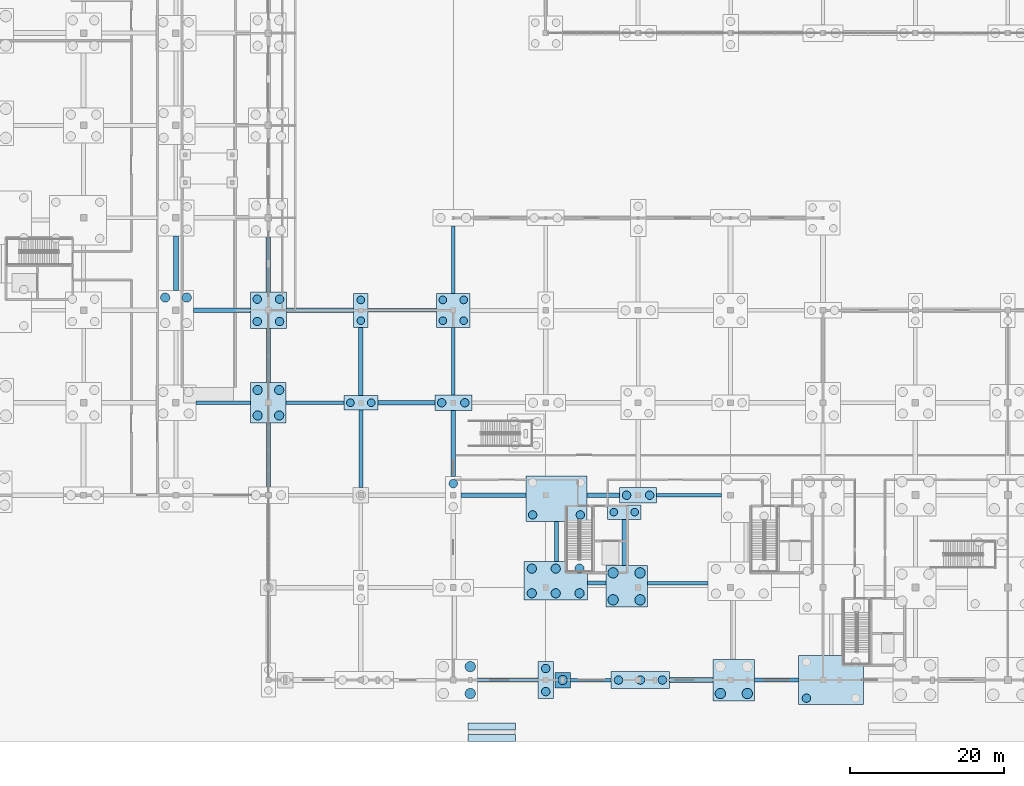
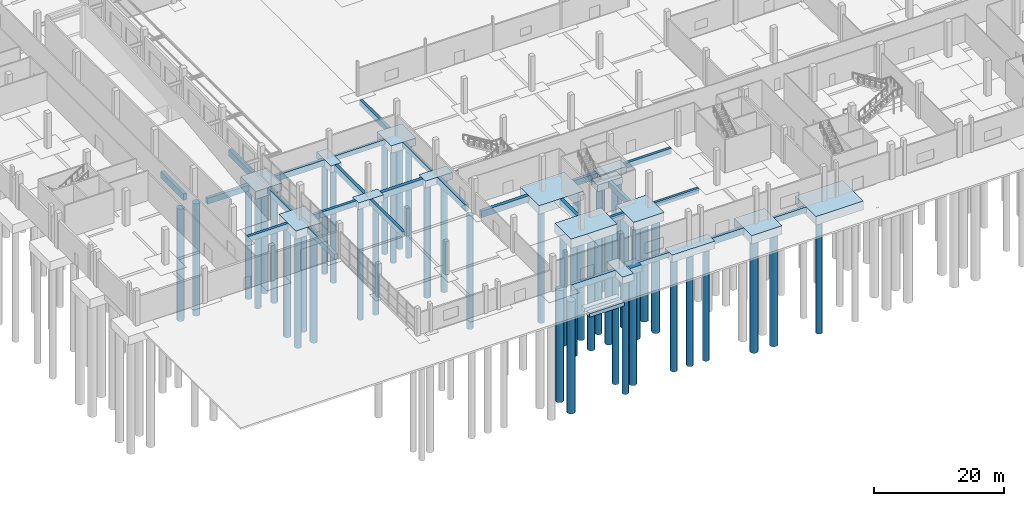
# One storey, part 2 of 117: 48 piles, 44 footings.
"""IFC4 building model written with IfcOpenShell, lengths in metres."""

from ifc_helpers import new_model, si_unit, direction, frame, origin, origin_2d, place, context, subcontext, project, spatial, rectangle, circle, extrude, material, material_profile, profile_set, type_object, element, save


model = new_model("IFC4")

# Units and contexts
model_context = context("Model", 3, precision=1e-05, world=origin(), true_north=direction((0.0, 1.0)))
body_context = subcontext(model_context, "Body", "Model", "MODEL_VIEW")
ifc_project = project(units=[si_unit("LENGTHUNIT", "METRE"), si_unit("AREAUNIT", "SQUARE_METRE"), si_unit("VOLUMEUNIT", "CUBIC_METRE"), si_unit("PLANEANGLEUNIT", "RADIAN"), si_unit("MASSUNIT", "GRAM", prefix="KILO")], contexts=[model_context])

# Site, building, storey
site_placement = place(None, origin())
site = spatial("IfcSite", under=ifc_project, at=site_placement, CompositionType="ELEMENT")
building_placement = place(site_placement, origin())
building = spatial("IfcBuilding", under=site, at=building_placement, Name="Kamomehara Wholesale Market", CompositionType="ELEMENT")
storey_placement = place(building_placement, origin())
storey = spatial("IfcBuildingStorey", under=building, at=storey_placement, Name="L00", CompositionType="ELEMENT", Elevation=0.0)

# Footings
ifc_material_1 = material(Name="Concrete Fc30 (C30/37)", Category="concrete")
footing_type_1 = type_object("IfcFootingType", Name="CAP-1P-2000", PredefinedType="PILE_CAP", material=ifc_material_1)
footing_1_placement = place(storey_placement, frame((74.199951171875, 12.0, -1.2001953125), z_axis=(0.0, 0.0, 1.0), x_axis=(1.0, 0.0, 0.0)))
element("IfcFooting", 1, at=footing_1_placement, inside=storey, type_object=footing_type_1, Name="Pile cap PC-03", PredefinedType="PILE_CAP", context=body_context, shape_type="SweptSolid", body=[
    extrude(rectangle(XDim=2.0, YDim=2.0, at=origin_2d()), origin(), (0.0, 0.0, 1.0), 1.199951171875),
])
ifc_material_2 = material(Name="Concrete Fc30 (C30/37)", Category="concrete")
footing_type_2 = type_object("IfcFootingType", Name="CAP-2PX-4400", PredefinedType="PILE_CAP", material=ifc_material_2)
for number, where, z_axis, x_axis, name in (
    (2, (48.0, 48.0, -1.25), (0.0, 0.0, 1.0), (1.0, 0.0, 0.0), "Pile cap PC-04"),
    (3, (82.199951171875, 33.800048828125, -1.25), (0.0, 0.0, 1.0), (1.0, 0.0, 0.0), "Pile cap PC-04"),
):
    element("IfcFooting", number, at=place(storey_placement, frame(where, z_axis=z_axis, x_axis=x_axis)), inside=storey, type_object=footing_type_2, Name=name, PredefinedType="PILE_CAP", context=body_context, shape_type="SweptSolid", body=[
        extrude(rectangle(XDim=4.39990234375, YDim=1.85009765625, at=origin_2d()), origin(), (0.0, 0.0, 1.0), 1.25),
    ])
ifc_material_3 = material(Name="Concrete Fc30 (C30/37)", Category="concrete")
footing_type_3 = type_object("IfcFootingType", Name="CAP-2PX-4800", PredefinedType="PILE_CAP", material=ifc_material_3)
for number, where, z_axis, x_axis, name in (
    (4, (60.0, 48.0, -1.2998046875), (0.0, 0.0, 1.0), (1.0, 0.0, 0.0), "Pile cap PC-06"),
    (5, (84.0, 36.0, -1.2998046875), (0.0, 0.0, 1.0), (1.0, 0.0, 0.0), "Pile cap PC-06"),
):
    element("IfcFooting", number, at=place(storey_placement, frame(where, z_axis=z_axis, x_axis=x_axis)), inside=storey, type_object=footing_type_3, Name=name, PredefinedType="PILE_CAP", context=body_context, shape_type="SweptSolid", body=[
        extrude(rectangle(XDim=4.800048828125, YDim=2.0, at=origin_2d()), origin(), (0.0, 0.0, 1.0), 1.300048828125),
    ])
ifc_material_4 = material(Name="Concrete Fc30 (C30/37)", Category="concrete")
footing_type_4 = type_object("IfcFootingType", Name="CAP-2PY-4400", PredefinedType="PILE_CAP", material=ifc_material_4)
footing_2_placement = place(storey_placement, frame((48.0, 60.0, -1.25), z_axis=(0.0, 0.0, 1.0), x_axis=(1.0, 0.0, 0.0)))
element("IfcFooting", 6, at=footing_2_placement, inside=storey, type_object=footing_type_4, Name="Pile cap PC-05", PredefinedType="PILE_CAP", context=body_context, shape_type="SweptSolid", body=[
    extrude(rectangle(XDim=1.85009765625, YDim=4.39990234375, at=origin_2d()), origin(), (0.0, 0.0, 1.0), 1.25),
])
ifc_material_5 = material(Name="Concrete Fc30 (C30/37)", Category="concrete")
footing_type_5 = type_object("IfcFootingType", Name="CAP-2PY-4800", PredefinedType="PILE_CAP", material=ifc_material_5)
footing_3_placement = place(storey_placement, frame((72.0, 12.0, -1.2998046875), z_axis=(0.0, 0.0, 1.0), x_axis=(1.0, 0.0, 0.0)))
element("IfcFooting", 7, at=footing_3_placement, inside=storey, type_object=footing_type_5, Name="Pile cap PC-07", PredefinedType="PILE_CAP", context=body_context, shape_type="SweptSolid", body=[
    extrude(rectangle(XDim=2.0, YDim=4.800048828125, at=origin_2d()), origin(), (0.0, 0.0, 1.0), 1.300048828125),
])
ifc_material_6 = material(Name="Concrete Fc30 (C30/37)", Category="concrete")
footing_type_6 = type_object("IfcFootingType", Name="CAP-3PX-7600", PredefinedType="PILE_CAP", material=ifc_material_6)
footing_4_placement = place(storey_placement, frame((84.300048828125, 12.0, -1.39990234375), z_axis=(0.0, 0.0, 1.0), x_axis=(1.0, 0.0, 0.0)))
element("IfcFooting", 8, at=footing_4_placement, inside=storey, type_object=footing_type_6, Name="Pile cap PC-09", PredefinedType="PILE_CAP", context=body_context, shape_type="SweptSolid", body=[
    extrude(rectangle(XDim=7.60009765625, YDim=2.199951171875, at=origin_2d()), origin(), (0.0, 0.0, 1.0), 1.39990234375),
])
ifc_material_7 = material(Name="Concrete Fc30 (C30/37)", Category="concrete")
footing_type_7 = type_object("IfcFootingType", Name="CAP-4P-4400", PredefinedType="PILE_CAP", material=ifc_material_7)
footing_5_placement = place(storey_placement, frame((60.0, 60.0, -1.39990234375), z_axis=(0.0, 0.0, 1.0), x_axis=(1.0, 0.0, 0.0)))
element("IfcFooting", 9, at=footing_5_placement, inside=storey, type_object=footing_type_7, Name="Pile cap PC-10", PredefinedType="PILE_CAP", context=body_context, shape_type="SweptSolid", body=[
    extrude(rectangle(XDim=4.39990234375, YDim=4.39990234375, at=origin_2d()), origin(), (0.0, 0.0, 1.0), 1.39990234375),
])
ifc_material_8 = material(Name="Concrete Fc30 (C30/37)", Category="concrete")
footing_type_8 = type_object("IfcFootingType", Name="CAP-4P-4700", PredefinedType="PILE_CAP", material=ifc_material_8)
footing_6_placement = place(storey_placement, frame((36.0, 60.0, -1.4501953125), z_axis=(0.0, 0.0, 1.0), x_axis=(1.0, 0.0, 0.0)))
element("IfcFooting", 10, at=footing_6_placement, inside=storey, type_object=footing_type_8, Name="Pile cap PC-11", PredefinedType="PILE_CAP", context=body_context, shape_type="SweptSolid", body=[
    extrude(rectangle(XDim=4.699951171875, YDim=4.699951171875, at=origin_2d()), origin(), (0.0, 0.0, 1.0), 1.449951171875),
])
ifc_material_9 = material(Name="Concrete Fc30 (C30/37)", Category="concrete")
footing_type_9 = type_object("IfcFootingType", Name="CAP-4P-5400", PredefinedType="PILE_CAP", material=ifc_material_9)
for number, where, z_axis, x_axis, name in (
    (11, (82.5, 24.1630859375, -1.60009765625), (0.0, 0.0, 1.0), (1.0, 0.0, 0.0), "Pile cap PC-13"),
    (12, (96.425048828125, 12.0, -1.60009765625), (0.0, 0.0, 1.0), (1.0, 0.0, 0.0), "Pile cap PC-13"),
):
    element("IfcFooting", number, at=place(storey_placement, frame(where, z_axis=z_axis, x_axis=x_axis)), inside=storey, type_object=footing_type_9, Name=name, PredefinedType="PILE_CAP", context=body_context, shape_type="SweptSolid", body=[
        extrude(rectangle(XDim=5.39990234375, YDim=5.39990234375, at=origin_2d()), origin(), (0.0, 0.0, 1.0), 1.60009765625),
    ])
ifc_material_10 = material(Name="Concrete Fc30 (C30/37)", Category="concrete")
footing_type_10 = type_object("IfcFootingType", Name="CAP-4PR-4600", PredefinedType="PILE_CAP", material=ifc_material_10)
footing_7_placement = place(storey_placement, frame((36.0, 48.0, -1.5498046875), z_axis=(0.0, 0.0, 1.0), x_axis=(1.0, 0.0, 0.0)))
element("IfcFooting", 13, at=footing_7_placement, inside=storey, type_object=footing_type_10, Name="Pile cap PC-16", PredefinedType="PILE_CAP", context=body_context, shape_type="SweptSolid", body=[
    extrude(rectangle(XDim=4.60009765625, YDim=5.199951171875, at=origin_2d()), origin(), (0.0, 0.0, 1.0), 1.550048828125),
])
ifc_material_11 = material(Name="Concrete Fc30 (C30/37)", Category="concrete")
footing_type_11 = type_object("IfcFootingType", Name="CAP-6P-8200", PredefinedType="PILE_CAP", material=ifc_material_11)
footing_8_placement = place(storey_placement, frame((73.300048828125, 24.863037109375, -1.75), z_axis=(0.0, 0.0, 1.0), x_axis=(1.0, 0.0, 0.0)))
element("IfcFooting", 14, at=footing_8_placement, inside=storey, type_object=footing_type_11, Name="Pile cap PC-17", PredefinedType="PILE_CAP", context=body_context, shape_type="SweptSolid", body=[
    extrude(rectangle(XDim=8.199951171875, YDim=5.0, at=origin_2d()), origin(), (0.0, 0.0, 1.0), 1.75),
])
ifc_material_12 = material(Name="Concrete Fc30 (C30/37)", Category="concrete")
footing_type_12 = type_object("IfcFootingType", Name="CAP-CMB-790x590", PredefinedType="PILE_CAP", material=ifc_material_12)
footing_9_placement = place(storey_placement, frame((73.39990234375, 35.5380859375, -1.64990234375), z_axis=(0.0, 0.0, 1.0), x_axis=(1.0, 0.0, 0.0)))
element("IfcFooting", 15, at=footing_9_placement, inside=storey, type_object=footing_type_12, Name="Pile cap PCC-79x59", PredefinedType="PILE_CAP", context=body_context, shape_type="SweptSolid", body=[
    extrude(rectangle(XDim=7.89990234375, YDim=5.89990234375, at=origin_2d()), origin(), (0.0, 0.0, 1.0), 1.64990234375),
])
ifc_material_13 = material(Name="Concrete Fc30 (C30/37)", Category="concrete")
footing_type_13 = type_object("IfcFootingType", Name="CAP-CMB-840x640", PredefinedType="PILE_CAP", material=ifc_material_13)
footing_10_placement = place(storey_placement, frame((109.050048828125, 12.0, -1.64990234375), z_axis=(0.0, 0.0, 1.0), x_axis=(1.0, 0.0, 0.0)))
element("IfcFooting", 16, at=footing_10_placement, inside=storey, type_object=footing_type_13, Name="Pile cap PCC-84x64", PredefinedType="PILE_CAP", context=body_context, shape_type="SweptSolid", body=[
    extrude(rectangle(XDim=8.39990234375, YDim=6.39990234375, at=origin_2d()), origin(), (0.0, 0.0, 1.0), 1.64990234375),
])
ifc_material_14 = material(Name="Concrete Fc30 (C30/37)", Category="concrete")
ifc_material_profile_1 = material_profile(ifc_material_14, rectangle(XDim=0.449951171875, YDim=0.89990234375, at=origin_2d()), Name="RC-FTB-450x900")
ifc_profile_set_1 = profile_set([ifc_material_profile_1], Name="Concrete Fc30 (C30/37)")
footing_type_14 = type_object("IfcFootingType", Name="FTB-450x900", PredefinedType="FOOTING_BEAM", material=ifc_profile_set_1)
footing_11_placement = place(storey_placement, frame((48.927001953125, 60.0, -0.449951171875), z_axis=(1.0, 0.0, 0.0), x_axis=(0.0, 1.0, 0.0)))
element("IfcFooting", 17, at=footing_11_placement, inside=storey, type_object=footing_type_14, Name="Foundation tie beam 47", PredefinedType="FOOTING_BEAM", context=body_context, shape_type="SweptSolid", body=[
    extrude(rectangle(XDim=0.449951171875, YDim=0.89990234375, at=origin_2d()), origin(), (0.0, 0.0, 1.0), 8.87109375),
])
footing_12_placement = place(storey_placement, frame((75.201904296875, 12.0, -0.449951171875), z_axis=(1.0, 0.0, 0.0), x_axis=(0.0, 1.0, 0.0)))
element("IfcFooting", 18, at=footing_12_placement, inside=storey, type_object=footing_type_14, Name="Foundation tie beam 75", PredefinedType="FOOTING_BEAM", context=body_context, shape_type="SweptSolid", body=[
    extrude(rectangle(XDim=0.449951171875, YDim=0.89990234375, at=origin_2d()), origin(), (0.0, 0.0, 1.0), 5.296142578125),
])
footing_13_placement = place(storey_placement, frame((85.201904296875, 24.593994140625, -0.449951171875), z_axis=(1.0, 0.0, 0.0), x_axis=(0.0, 1.0, 0.0)))
element("IfcFooting", 19, at=footing_13_placement, inside=storey, type_object=footing_type_14, Name="Foundation tie beam 79", PredefinedType="FOOTING_BEAM", context=body_context, shape_type="SweptSolid", body=[
    extrude(rectangle(XDim=0.449951171875, YDim=0.89990234375, at=origin_2d()), origin(), (0.0, 0.0, 1.0), 7.89599609375),
])
footing_14_placement = place(storey_placement, frame((60.0, 49.001953125, -0.449951171875), z_axis=(0.0, 1.0, 0.0), x_axis=(-1.0, 0.0, 0.0)))
element("IfcFooting", 20, at=footing_14_placement, inside=storey, type_object=footing_type_14, Name="Foundation tie beam 251", PredefinedType="FOOTING_BEAM", context=body_context, shape_type="SweptSolid", body=[
    extrude(rectangle(XDim=0.449951171875, YDim=0.89990234375, at=origin_2d()), origin(), (0.0, 0.0, 1.0), 8.796142578125),
])
ifc_material_15 = material(Name="Concrete Fc30 (C30/37)", Category="concrete")
ifc_material_profile_2 = material_profile(ifc_material_15, rectangle(XDim=0.5, YDim=1.0, at=origin_2d()), Name="RC-FTB-500x1000")
ifc_profile_set_2 = profile_set([ifc_material_profile_2], Name="Concrete Fc30 (C30/37)")
footing_type_15 = type_object("IfcFootingType", Name="FTB-500x1000", PredefinedType="FOOTING_BEAM", material=ifc_profile_set_2)
footing_15_placement = place(storey_placement, frame((26.60205078125, 48.0, -0.5), z_axis=(1.0, 0.0, 0.0), x_axis=(0.0, 1.0, 0.0)))
element("IfcFooting", 21, at=footing_15_placement, inside=storey, type_object=footing_type_15, Name="Foundation tie beam 24", PredefinedType="FOOTING_BEAM", context=body_context, shape_type="SweptSolid", body=[
    extrude(rectangle(XDim=0.5, YDim=1.0, at=origin_2d()), origin(), (0.0, 0.0, 1.0), 7.095947265625),
])
footing_16_placement = place(storey_placement, frame((38.302001953125, 48.0, -0.5), z_axis=(1.0, 0.0, 0.0), x_axis=(0.0, 1.0, 0.0)))
element("IfcFooting", 22, at=footing_16_placement, inside=storey, type_object=footing_type_15, Name="Foundation tie beam 36", PredefinedType="FOOTING_BEAM", context=body_context, shape_type="SweptSolid", body=[
    extrude(rectangle(XDim=0.5, YDim=1.0, at=origin_2d()), origin(), (0.0, 0.0, 1.0), 7.49609375),
])
footing_17_placement = place(storey_placement, frame((77.402099609375, 24.613037109375, -0.5), z_axis=(1.0, 0.0, 0.0), x_axis=(0.0, 1.0, 0.0)))
element("IfcFooting", 23, at=footing_17_placement, inside=storey, type_object=footing_type_15, Name="Foundation tie beam 64", PredefinedType="FOOTING_BEAM", context=body_context, shape_type="SweptSolid", body=[
    extrude(rectangle(XDim=0.5, YDim=1.0, at=origin_2d()), origin(), (0.0, 0.0, 1.0), 2.39599609375),
])
footing_18_placement = place(storey_placement, frame((86.402099609375, 36.0, -0.5), z_axis=(1.0, 0.0, 0.0), x_axis=(0.0, 1.0, 0.0)))
element("IfcFooting", 24, at=footing_18_placement, inside=storey, type_object=footing_type_15, Name="Foundation tie beam 80", PredefinedType="FOOTING_BEAM", context=body_context, shape_type="SweptSolid", body=[
    extrude(rectangle(XDim=0.5, YDim=1.0, at=origin_2d()), origin(), (0.0, 0.0, 1.0), 8.39599609375),
])
footing_19_placement = place(storey_placement, frame((99.126953125, 12.0, -0.5), z_axis=(1.0, 0.0, 0.0), x_axis=(0.0, 1.0, 0.0)))
element("IfcFooting", 25, at=footing_19_placement, inside=storey, type_object=footing_type_15, Name="Foundation tie beam 92", PredefinedType="FOOTING_BEAM", context=body_context, shape_type="SweptSolid", body=[
    extrude(rectangle(XDim=0.5, YDim=1.0, at=origin_2d()), origin(), (0.0, 0.0, 1.0), 5.720947265625),
])
footing_20_placement = place(storey_placement, frame((36.0, 37.076904296875, -0.5), z_axis=(0.0, 1.0, 0.0), x_axis=(-1.0, 0.0, 0.0)))
element("IfcFooting", 26, at=footing_20_placement, inside=storey, type_object=footing_type_15, Name="Foundation tie beam 232", PredefinedType="FOOTING_BEAM", context=body_context, shape_type="SweptSolid", body=[
    extrude(rectangle(XDim=0.5, YDim=1.0, at=origin_2d()), origin(), (0.0, 0.0, 1.0), 8.321044921875),
])
footing_21_placement = place(storey_placement, frame((48.0, 37.001953125, -0.5), z_axis=(0.0, 1.0, 0.0), x_axis=(-1.0, 0.0, 0.0)))
element("IfcFooting", 27, at=footing_21_placement, inside=storey, type_object=footing_type_15, Name="Foundation tie beam 244", PredefinedType="FOOTING_BEAM", context=body_context, shape_type="SweptSolid", body=[
    extrude(rectangle(XDim=0.5, YDim=1.0, at=origin_2d()), origin(), (0.0, 0.0, 1.0), 10.071044921875),
])
footing_22_placement = place(storey_placement, frame((60.0, 62.201904296875, -0.5), z_axis=(0.0, 1.0, 0.0), x_axis=(-1.0, 0.0, 0.0)))
element("IfcFooting", 28, at=footing_22_placement, inside=storey, type_object=footing_type_15, Name="Foundation tie beam 252", PredefinedType="FOOTING_BEAM", context=body_context, shape_type="SweptSolid", body=[
    extrude(rectangle(XDim=0.5, YDim=1.0, at=origin_2d()), origin(), (0.0, 0.0, 1.0), 8.72119140625),
])
ifc_material_16 = material(Name="Concrete Fc30 (C30/37)", Category="concrete")
ifc_material_profile_3 = material_profile(ifc_material_16, rectangle(XDim=0.550048828125, YDim=1.10009765625, at=origin_2d()), Name="RC-FTB-550x1100")
ifc_profile_set_3 = profile_set([ifc_material_profile_3], Name="Concrete Fc30 (C30/37)")
footing_type_16 = type_object("IfcFootingType", Name="FTB-550x1100", PredefinedType="FOOTING_BEAM", material=ifc_profile_set_3)
footing_23_placement = place(storey_placement, frame((26.302001953125, 60.0, -0.550048828125), z_axis=(1.0, 0.0, 0.0), x_axis=(0.0, 1.0, 0.0)))
element("IfcFooting", 29, at=footing_23_placement, inside=storey, type_object=footing_type_16, Name="Foundation tie beam 25", PredefinedType="FOOTING_BEAM", context=body_context, shape_type="SweptSolid", body=[
    extrude(rectangle(XDim=0.550048828125, YDim=1.10009765625, at=origin_2d()), origin(), (0.0, 0.0, 1.0), 7.345947265625),
])
footing_24_placement = place(storey_placement, frame((38.35205078125, 60.0, -0.550048828125), z_axis=(1.0, 0.0, 0.0), x_axis=(0.0, 1.0, 0.0)))
element("IfcFooting", 30, at=footing_24_placement, inside=storey, type_object=footing_type_16, Name="Foundation tie beam 37", PredefinedType="FOOTING_BEAM", context=body_context, shape_type="SweptSolid", body=[
    extrude(rectangle(XDim=0.550048828125, YDim=1.10009765625, at=origin_2d()), origin(), (0.0, 0.0, 1.0), 8.720947265625),
])
footing_25_placement = place(storey_placement, frame((63.1640625, 12.0, -0.550048828125), z_axis=(1.0, 0.0, 0.0), x_axis=(0.0, 1.0, 0.0)))
element("IfcFooting", 31, at=footing_25_placement, inside=storey, type_object=footing_type_16, Name="Foundation tie beam 53", PredefinedType="FOOTING_BEAM", context=body_context, shape_type="SweptSolid", body=[
    extrude(rectangle(XDim=0.550048828125, YDim=1.10009765625, at=origin_2d()), origin(), (0.0, 0.0, 1.0), 7.833984375),
])
footing_26_placement = place(storey_placement, frame((77.35205078125, 36.0, -0.550048828125), z_axis=(1.0, 0.0, 0.0), x_axis=(0.0, 1.0, 0.0)))
element("IfcFooting", 32, at=footing_26_placement, inside=storey, type_object=footing_type_16, Name="Foundation tie beam 65", PredefinedType="FOOTING_BEAM", context=body_context, shape_type="SweptSolid", body=[
    extrude(rectangle(XDim=0.550048828125, YDim=1.10009765625, at=origin_2d()), origin(), (0.0, 0.0, 1.0), 4.245849609375),
])
footing_27_placement = place(storey_placement, frame((36.0, 50.60205078125, -0.550048828125), z_axis=(0.0, 1.0, 0.0), x_axis=(-1.0, 0.0, 0.0)))
element("IfcFooting", 33, at=footing_27_placement, inside=storey, type_object=footing_type_16, Name="Foundation tie beam 233", PredefinedType="FOOTING_BEAM", context=body_context, shape_type="SweptSolid", body=[
    extrude(rectangle(XDim=0.550048828125, YDim=1.10009765625, at=origin_2d()), origin(), (0.0, 0.0, 1.0), 7.0458984375),
])
footing_28_placement = place(storey_placement, frame((48.0, 48.927001953125, -0.550048828125), z_axis=(0.0, 1.0, 0.0), x_axis=(-1.0, 0.0, 0.0)))
element("IfcFooting", 34, at=footing_28_placement, inside=storey, type_object=footing_type_16, Name="Foundation tie beam 245", PredefinedType="FOOTING_BEAM", context=body_context, shape_type="SweptSolid", body=[
    extrude(rectangle(XDim=0.550048828125, YDim=1.10009765625, at=origin_2d()), origin(), (0.0, 0.0, 1.0), 8.87109375),
])
footing_29_placement = place(storey_placement, frame((73.39990234375, 27.364990234375, -0.550048828125), z_axis=(0.0, 1.0, 0.0), x_axis=(-1.0, 0.0, 0.0)))
element("IfcFooting", 35, at=footing_29_placement, inside=storey, type_object=footing_type_16, Name="Foundation tie beam 257", PredefinedType="FOOTING_BEAM", context=body_context, shape_type="SweptSolid", body=[
    extrude(rectangle(XDim=0.550048828125, YDim=1.10009765625, at=origin_2d()), origin(), (0.0, 0.0, 1.0), 5.220947265625),
])
footing_30_placement = place(storey_placement, frame((82.199951171875, 26.864990234375, -0.550048828125), z_axis=(0.0, 1.0, 0.0), x_axis=(-1.0, 0.0, 0.0)))
element("IfcFooting", 36, at=footing_30_placement, inside=storey, type_object=footing_type_16, Name="Foundation tie beam 265", PredefinedType="FOOTING_BEAM", context=body_context, shape_type="SweptSolid", body=[
    extrude(rectangle(XDim=0.550048828125, YDim=1.10009765625, at=origin_2d()), origin(), (0.0, 0.0, 1.0), 6.008056640625),
])
ifc_material_17 = material(Name="Concrete Fc30 (C30/37)", Category="concrete")
ifc_material_profile_4 = material_profile(ifc_material_17, rectangle(XDim=0.60009765625, YDim=1.199951171875, at=origin_2d()), Name="RC-FTB-600x1200")
ifc_profile_set_4 = profile_set([ifc_material_profile_4], Name="Concrete Fc30 (C30/37)")
footing_type_17 = type_object("IfcFootingType", Name="FTB-600x1200", PredefinedType="FOOTING_BEAM", material=ifc_profile_set_4)
footing_31_placement = place(storey_placement, frame((50.201904296875, 48.0, -0.60009765625), z_axis=(1.0, 0.0, 0.0), x_axis=(0.0, 1.0, 0.0)))
element("IfcFooting", 37, at=footing_31_placement, inside=storey, type_object=footing_type_17, Name="Foundation tie beam 46", PredefinedType="FOOTING_BEAM", context=body_context, shape_type="SweptSolid", body=[
    extrude(rectangle(XDim=0.60009765625, YDim=1.199951171875, at=origin_2d()), origin(), (0.0, 0.0, 1.0), 7.39599609375),
])
footing_32_placement = place(storey_placement, frame((61.001953125, 36.0, -0.60009765625), z_axis=(1.0, 0.0, 0.0), x_axis=(0.0, 1.0, 0.0)))
element("IfcFooting", 38, at=footing_32_placement, inside=storey, type_object=footing_type_17, Name="Foundation tie beam 54", PredefinedType="FOOTING_BEAM", context=body_context, shape_type="SweptSolid", body=[
    extrude(rectangle(XDim=0.60009765625, YDim=1.199951171875, at=origin_2d()), origin(), (0.0, 0.0, 1.0), 8.446044921875),
])
footing_33_placement = place(storey_placement, frame((88.10205078125, 12.0, -0.60009765625), z_axis=(1.0, 0.0, 0.0), x_axis=(0.0, 1.0, 0.0)))
element("IfcFooting", 39, at=footing_33_placement, inside=storey, type_object=footing_type_17, Name="Foundation tie beam 78", PredefinedType="FOOTING_BEAM", context=body_context, shape_type="SweptSolid", body=[
    extrude(rectangle(XDim=0.60009765625, YDim=1.199951171875, at=origin_2d()), origin(), (0.0, 0.0, 1.0), 5.620849609375),
])
footing_34_placement = place(storey_placement, frame((24.0, 62.60205078125, -0.60009765625), z_axis=(0.0, 1.0, 0.0), x_axis=(-1.0, 0.0, 0.0)))
element("IfcFooting", 40, at=footing_34_placement, inside=storey, type_object=footing_type_17, Name="Foundation tie beam 222", PredefinedType="FOOTING_BEAM", context=body_context, shape_type="SweptSolid", body=[
    extrude(rectangle(XDim=0.60009765625, YDim=1.199951171875, at=origin_2d()), origin(), (0.0, 0.0, 1.0), 7.0458984375),
])
footing_35_placement = place(storey_placement, frame((36.0, 62.35205078125, -0.60009765625), z_axis=(0.0, 1.0, 0.0), x_axis=(-1.0, 0.0, 0.0)))
element("IfcFooting", 41, at=footing_35_placement, inside=storey, type_object=footing_type_17, Name="Foundation tie beam 234", PredefinedType="FOOTING_BEAM", context=body_context, shape_type="SweptSolid", body=[
    extrude(rectangle(XDim=0.60009765625, YDim=1.199951171875, at=origin_2d()), origin(), (0.0, 0.0, 1.0), 7.14599609375),
])
footing_36_placement = place(storey_placement, frame((60.0, 38.402099609375, -0.60009765625), z_axis=(0.0, 1.0, 0.0), x_axis=(-1.0, 0.0, 0.0)))
element("IfcFooting", 42, at=footing_36_placement, inside=storey, type_object=footing_type_17, Name="Foundation tie beam 250", PredefinedType="FOOTING_BEAM", context=body_context, shape_type="SweptSolid", body=[
    extrude(rectangle(XDim=0.60009765625, YDim=1.199951171875, at=origin_2d()), origin(), (0.0, 0.0, 1.0), 8.595947265625),
])
ifc_material_18 = material(Name="Concrete Fc30 (C30/37)", Category="concrete")
footing_type_18 = type_object("IfcFootingType", Name="PAD-RMP-1800", PredefinedType="PAD_FOOTING", material=ifc_material_18)
for number, where, z_axis, x_axis, name in (
    (43, (65.0, 4.449951171875, -0.9599609375), (0.0, 0.0, 1.0), (1.0, 0.0, 0.0), "Ramp toe footing PR-01.1"),
    (44, (65.0, 5.949951171875, -0.89990234375), (0.0, 0.0, 1.0), (1.0, 0.0, 0.0), "Ramp toe footing PR-01.2"),
):
    element("IfcFooting", number, at=place(storey_placement, frame(where, z_axis=z_axis, x_axis=x_axis)), inside=storey, type_object=footing_type_18, Name=name, PredefinedType="PAD_FOOTING", context=body_context, shape_type="SweptSolid", body=[
        extrude(rectangle(XDim=6.199951171875, YDim=0.89990234375, at=origin_2d()), origin(), (0.0, 0.0, 1.0), 0.699951171875),
    ])

# Piles
ifc_material_19 = material(Name="Concrete Fc30 (C30/37)", Category="concrete")
ifc_material_profile_5 = material_profile(ifc_material_19, circle(Radius=0.5, at=origin_2d()), Name="RC-PILE-D1000")
ifc_profile_set_5 = profile_set([ifc_material_profile_5], Name="Concrete Fc30 (C30/37)")
pile_type_1 = type_object("IfcPileType", Name="PILE-D1000", PredefinedType="BORED", material=ifc_profile_set_5)
for number, where, z_axis, x_axis, name in (
    (45, (46.64990234375, 48.0, -1.14990234375), (0.0, 0.0, -1.0), (1.0, 0.0, 0.0), "Bored pile 51.177"),
    (46, (49.35009765625, 48.0, -1.14990234375), (0.0, 0.0, -1.0), (1.0, 0.0, 0.0), "Bored pile 51.178"),
    (47, (48.0, 58.64990234375, -1.14990234375), (0.0, 0.0, -1.0), (1.0, 0.0, 0.0), "Bored pile 52.179"),
    (48, (48.0, 61.35009765625, -1.14990234375), (0.0, 0.0, -1.0), (1.0, 0.0, 0.0), "Bored pile 52.180"),
):
    element("IfcPile", number, at=place(storey_placement, frame(where, z_axis=z_axis, x_axis=x_axis)), inside=storey, type_object=pile_type_1, Name=name, PredefinedType="BORED", context=body_context, shape_type="SweptSolid", body=[
        extrude(circle(Radius=0.5, at=origin_2d()), origin(), (0.0, 0.0, 1.0), 21.35009765625),
    ])
for number, where, z_axis, x_axis, name in (
    (49, (58.64990234375, 58.64990234375, -1.300048828125), (0.0, 0.0, -1.0), (1.0, 0.0, 0.0), "Bored pile 62.207"),
    (50, (61.35009765625, 58.64990234375, -1.300048828125), (0.0, 0.0, -1.0), (1.0, 0.0, 0.0), "Bored pile 62.208"),
    (51, (58.64990234375, 61.35009765625, -1.300048828125), (0.0, 0.0, -1.0), (1.0, 0.0, 0.0), "Bored pile 62.209"),
    (52, (61.35009765625, 61.35009765625, -1.300048828125), (0.0, 0.0, -1.0), (1.0, 0.0, 0.0), "Bored pile 62.210"),
):
    element("IfcPile", number, at=place(storey_placement, frame(where, z_axis=z_axis, x_axis=x_axis)), inside=storey, type_object=pile_type_1, Name=name, PredefinedType="BORED", context=body_context, shape_type="SweptSolid", body=[
        extrude(circle(Radius=0.5, at=origin_2d()), origin(), (0.0, 0.0, 1.0), 21.199951171875),
    ])
for number, where, z_axis, x_axis, name in (
    (53, (80.85009765625, 33.800048828125, -1.14990234375), (0.0, 0.0, -1.0), (1.0, 0.0, 0.0), "Bored pile 260.706"),
    (54, (83.550048828125, 33.800048828125, -1.14990234375), (0.0, 0.0, -1.0), (1.0, 0.0, 0.0), "Bored pile 260.707"),
):
    element("IfcPile", number, at=place(storey_placement, frame(where, z_axis=z_axis, x_axis=x_axis)), inside=storey, type_object=pile_type_1, Name=name, PredefinedType="BORED", context=body_context, shape_type="SweptSolid", body=[
        extrude(circle(Radius=0.5, at=origin_2d()), origin(), (0.0, 0.0, 1.0), 21.35009765625),
    ])
ifc_material_20 = material(Name="Concrete Fc30 (C30/37)", Category="concrete")
ifc_material_profile_6 = material_profile(ifc_material_20, circle(Radius=0.550048828125, at=origin_2d()), Name="RC-PILE-D1100")
ifc_profile_set_6 = profile_set([ifc_material_profile_6], Name="Concrete Fc30 (C30/37)")
pile_type_2 = type_object("IfcPileType", Name="PILE-D1100", PredefinedType="BORED", material=ifc_profile_set_6)
for number, where, z_axis, x_axis, name in (
    (55, (34.550048828125, 58.550048828125, -1.35009765625), (0.0, 0.0, -1.0), (1.0, 0.0, 0.0), "Bored pile 38.136"),
    (56, (37.449951171875, 58.550048828125, -1.35009765625), (0.0, 0.0, -1.0), (1.0, 0.0, 0.0), "Bored pile 38.137"),
    (57, (34.550048828125, 61.449951171875, -1.35009765625), (0.0, 0.0, -1.0), (1.0, 0.0, 0.0), "Bored pile 38.138"),
    (58, (37.449951171875, 61.449951171875, -1.35009765625), (0.0, 0.0, -1.0), (1.0, 0.0, 0.0), "Bored pile 38.139"),
):
    element("IfcPile", number, at=place(storey_placement, frame(where, z_axis=z_axis, x_axis=x_axis)), inside=storey, type_object=pile_type_2, Name=name, PredefinedType="BORED", context=body_context, shape_type="SweptSolid", body=[
        extrude(circle(Radius=0.550048828125, at=origin_2d()), origin(), (0.0, 0.0, 1.0), 21.14990234375),
    ])
for number, where, z_axis, x_axis, name in (
    (59, (60.0, 37.5, -1.199951171875), (0.0, 0.0, -1.0), (1.0, 0.0, 0.0), "Bored pile 60.204"),
    (60, (58.5, 48.0, -1.199951171875), (0.0, 0.0, -1.0), (1.0, 0.0, 0.0), "Bored pile 61.205"),
    (61, (61.5, 48.0, -1.199951171875), (0.0, 0.0, -1.0), (1.0, 0.0, 0.0), "Bored pile 61.206"),
    (62, (72.0, 10.5, -1.199951171875), (0.0, 0.0, -1.0), (1.0, 0.0, 0.0), "Bored pile 73.235"),
    (63, (72.0, 13.5, -1.199951171875), (0.0, 0.0, -1.0), (1.0, 0.0, 0.0), "Bored pile 73.236"),
):
    element("IfcPile", number, at=place(storey_placement, frame(where, z_axis=z_axis, x_axis=x_axis)), inside=storey, type_object=pile_type_2, Name=name, PredefinedType="BORED", context=body_context, shape_type="SweptSolid", body=[
        extrude(circle(Radius=0.550048828125, at=origin_2d()), origin(), (0.0, 0.0, 1.0), 21.300048828125),
    ])
for number, where, z_axis, x_axis, name in (
    (64, (70.300048828125, 33.43798828125, -1.550048828125), (0.0, 0.0, -1.0), (1.0, 0.0, 0.0), "Bored pile 75.243"),
    (65, (76.5, 33.43798828125, -1.550048828125), (0.0, 0.0, -1.0), (1.0, 0.0, 0.0), "Bored pile 75.244"),
):
    element("IfcPile", number, at=place(storey_placement, frame(where, z_axis=z_axis, x_axis=x_axis)), inside=storey, type_object=pile_type_2, Name=name, PredefinedType="BORED", context=body_context, shape_type="SweptSolid", body=[
        extrude(circle(Radius=0.550048828125, at=origin_2d()), origin(), (0.0, 0.0, 1.0), 20.949951171875),
    ])
for number, where, z_axis, x_axis, name in (
    (66, (81.449951171875, 12.0, -1.300048828125), (0.0, 0.0, -1.0), (1.0, 0.0, 0.0), "Bored pile 88.269"),
    (67, (84.300048828125, 12.0, -1.300048828125), (0.0, 0.0, -1.0), (1.0, 0.0, 0.0), "Bored pile 88.270"),
    (68, (87.14990234375, 12.0, -1.300048828125), (0.0, 0.0, -1.0), (1.0, 0.0, 0.0), "Bored pile 88.271"),
):
    element("IfcPile", number, at=place(storey_placement, frame(where, z_axis=z_axis, x_axis=x_axis)), inside=storey, type_object=pile_type_2, Name=name, PredefinedType="BORED", context=body_context, shape_type="SweptSolid", body=[
        extrude(circle(Radius=0.550048828125, at=origin_2d()), origin(), (0.0, 0.0, 1.0), 21.199951171875),
    ])
for number, where, z_axis, x_axis, name in (
    (69, (82.5, 36.0, -1.199951171875), (0.0, 0.0, -1.0), (1.0, 0.0, 0.0), "Bored pile 90.276"),
    (70, (85.5, 36.0, -1.199951171875), (0.0, 0.0, -1.0), (1.0, 0.0, 0.0), "Bored pile 90.277"),
):
    element("IfcPile", number, at=place(storey_placement, frame(where, z_axis=z_axis, x_axis=x_axis)), inside=storey, type_object=pile_type_2, Name=name, PredefinedType="BORED", context=body_context, shape_type="SweptSolid", body=[
        extrude(circle(Radius=0.550048828125, at=origin_2d()), origin(), (0.0, 0.0, 1.0), 21.300048828125),
    ])
pile_1_placement = place(storey_placement, frame((105.85009765625, 9.64990234375, -1.550048828125), z_axis=(0.0, 0.0, -1.0), x_axis=(1.0, 0.0, 0.0)))
element("IfcPile", 71, at=pile_1_placement, inside=storey, type_object=pile_type_2, Name="Bored pile 118.342", PredefinedType="BORED", context=body_context, shape_type="SweptSolid", body=[
    extrude(circle(Radius=0.550048828125, at=origin_2d()), origin(), (0.0, 0.0, 1.0), 20.949951171875),
])
ifc_material_21 = material(Name="Concrete Fc30 (C30/37)", Category="concrete")
ifc_material_profile_7 = material_profile(ifc_material_21, circle(Radius=0.60009765625, at=origin_2d()), Name="RC-PILE-D1200")
ifc_profile_set_7 = profile_set([ifc_material_profile_7], Name="Concrete Fc30 (C30/37)")
pile_type_3 = type_object("IfcPileType", Name="PILE-D1200", PredefinedType="BORED", material=ifc_profile_set_7)
for number, where, z_axis, x_axis, name in (
    (72, (22.60009765625, 61.64990234375, -1.449951171875), (0.0, 0.0, -1.0), (1.0, 0.0, 0.0), "Bored pile 25.95"),
    (73, (25.39990234375, 61.64990234375, -1.449951171875), (0.0, 0.0, -1.0), (1.0, 0.0, 0.0), "Bored pile 25.96"),
    (74, (34.60009765625, 46.35009765625, -1.449951171875), (0.0, 0.0, -1.0), (1.0, 0.0, 0.0), "Bored pile 37.132"),
    (75, (37.39990234375, 46.35009765625, -1.449951171875), (0.0, 0.0, -1.0), (1.0, 0.0, 0.0), "Bored pile 37.133"),
    (76, (34.60009765625, 49.64990234375, -1.449951171875), (0.0, 0.0, -1.0), (1.0, 0.0, 0.0), "Bored pile 37.134"),
    (77, (37.39990234375, 49.64990234375, -1.449951171875), (0.0, 0.0, -1.0), (1.0, 0.0, 0.0), "Bored pile 37.135"),
):
    element("IfcPile", number, at=place(storey_placement, frame(where, z_axis=z_axis, x_axis=x_axis)), inside=storey, type_object=pile_type_3, Name=name, PredefinedType="BORED", context=body_context, shape_type="SweptSolid", body=[
        extrude(circle(Radius=0.60009765625, at=origin_2d()), origin(), (0.0, 0.0, 1.0), 21.050048828125),
    ])
for number, where, z_axis, x_axis, name in (
    (78, (70.199951171875, 23.262939453125, -1.64990234375), (0.0, 0.0, -1.0), (1.0, 0.0, 0.0), "Bored pile 74.237"),
    (79, (73.300048828125, 23.262939453125, -1.64990234375), (0.0, 0.0, -1.0), (1.0, 0.0, 0.0), "Bored pile 74.238"),
    (80, (76.39990234375, 23.262939453125, -1.64990234375), (0.0, 0.0, -1.0), (1.0, 0.0, 0.0), "Bored pile 74.239"),
    (81, (70.199951171875, 26.462890625, -1.64990234375), (0.0, 0.0, -1.0), (1.0, 0.0, 0.0), "Bored pile 74.240"),
    (82, (73.300048828125, 26.462890625, -1.64990234375), (0.0, 0.0, -1.0), (1.0, 0.0, 0.0), "Bored pile 74.241"),
    (83, (76.39990234375, 26.462890625, -1.64990234375), (0.0, 0.0, -1.0), (1.0, 0.0, 0.0), "Bored pile 74.242"),
):
    element("IfcPile", number, at=place(storey_placement, frame(where, z_axis=z_axis, x_axis=x_axis)), inside=storey, type_object=pile_type_3, Name=name, PredefinedType="BORED", context=body_context, shape_type="SweptSolid", body=[
        extrude(circle(Radius=0.60009765625, at=origin_2d()), origin(), (0.0, 0.0, 1.0), 20.85009765625),
    ])
pile_2_placement = place(storey_placement, frame((74.199951171875, 12.0, -1.10009765625), z_axis=(0.0, 0.0, -1.0), x_axis=(1.0, 0.0, 0.0)))
element("IfcPile", 84, at=pile_2_placement, inside=storey, type_object=pile_type_3, Name="Bored pile 85.266", PredefinedType="BORED", context=body_context, shape_type="SweptSolid", body=[
    extrude(circle(Radius=0.60009765625, at=origin_2d()), origin(), (0.0, 0.0, 1.0), 21.39990234375),
])
ifc_material_22 = material(Name="Concrete Fc30 (C30/37)", Category="concrete")
ifc_material_profile_8 = material_profile(ifc_material_22, circle(Radius=0.675048828125, at=origin_2d()), Name="RC-PILE-D1350")
ifc_profile_set_8 = profile_set([ifc_material_profile_8], Name="Concrete Fc30 (C30/37)")
pile_type_4 = type_object("IfcPileType", Name="PILE-D1350", PredefinedType="BORED", material=ifc_profile_set_8)
for number, where, z_axis, x_axis, name in (
    (85, (62.2119140625, 10.25, -1.5), (0.0, 0.0, -1.0), (1.0, 0.0, 0.0), "Bored pile 58.198"),
    (86, (62.2119140625, 13.75, -1.5), (0.0, 0.0, -1.0), (1.0, 0.0, 0.0), "Bored pile 58.200"),
    (87, (80.75, 22.4130859375, -1.5), (0.0, 0.0, -1.0), (1.0, 0.0, 0.0), "Bored pile 89.272"),
    (88, (84.25, 22.4130859375, -1.5), (0.0, 0.0, -1.0), (1.0, 0.0, 0.0), "Bored pile 89.273"),
    (89, (80.75, 25.9130859375, -1.5), (0.0, 0.0, -1.0), (1.0, 0.0, 0.0), "Bored pile 89.274"),
    (90, (84.25, 25.9130859375, -1.5), (0.0, 0.0, -1.0), (1.0, 0.0, 0.0), "Bored pile 89.275"),
    (91, (94.675048828125, 10.25, -1.5), (0.0, 0.0, -1.0), (1.0, 0.0, 0.0), "Bored pile 104.307"),
    (92, (98.175048828125, 10.25, -1.5), (0.0, 0.0, -1.0), (1.0, 0.0, 0.0), "Bored pile 104.308"),
):
    element("IfcPile", number, at=place(storey_placement, frame(where, z_axis=z_axis, x_axis=x_axis)), inside=storey, type_object=pile_type_4, Name=name, PredefinedType="BORED", context=body_context, shape_type="SweptSolid", body=[
        extrude(circle(Radius=0.675048828125, at=origin_2d()), origin(), (0.0, 0.0, 1.0), 21.0),
    ])

save(model, "model.ifc")
